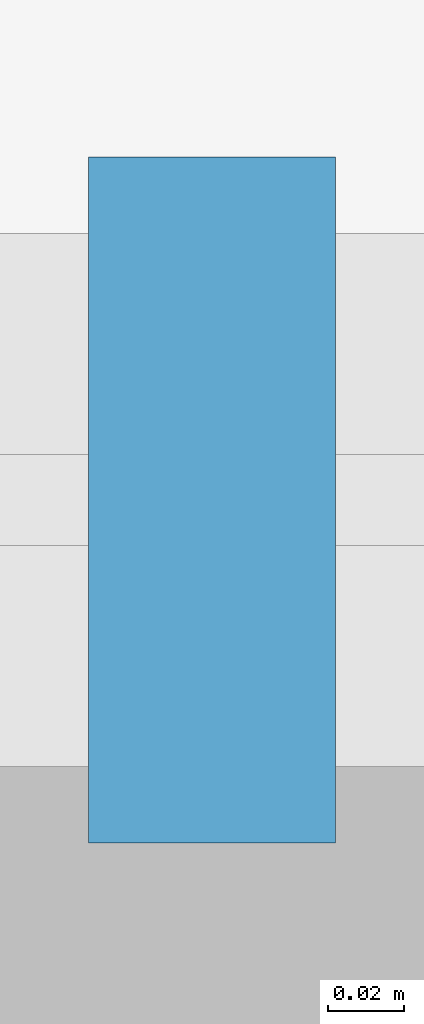
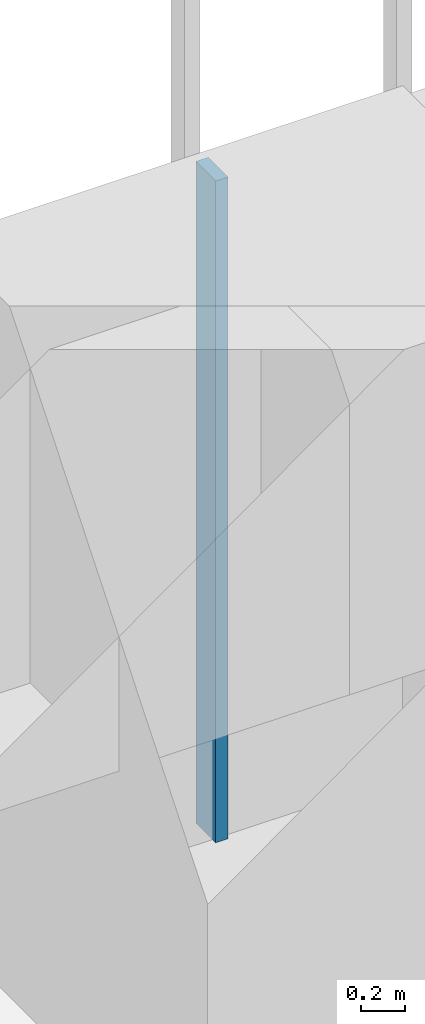
# One storey, part 220 of 256: 1 member, 1 element without a shape of its own.
"""IFC4 building model written with IfcOpenShell, lengths in metres."""

from ifc_helpers import new_model, si_unit, direction, frame, origin, origin_2d, place, context, subcontext, project, spatial, rectangle, extrude, material, material_profile, profile_set, type_object, element, aggregate, save


model = new_model("IFC4")

# Units and contexts
model_context = context("Model", 3, precision=1e-05, world=origin(), true_north=direction((0.0, 1.0)))
body_context = subcontext(model_context, "Body", "Model", "MODEL_VIEW")
ifc_project = project(units=[si_unit("LENGTHUNIT", "METRE"), si_unit("AREAUNIT", "SQUARE_METRE"), si_unit("VOLUMEUNIT", "CUBIC_METRE"), si_unit("PLANEANGLEUNIT", "RADIAN"), si_unit("MASSUNIT", "GRAM", prefix="KILO")], contexts=[model_context])

# Site, building, storey
site_placement = place(None, origin())
site = spatial("IfcSite", under=ifc_project, at=site_placement, CompositionType="ELEMENT")
building_placement = place(site_placement, origin())
building = spatial("IfcBuilding", under=site, at=building_placement, Name="Sandreach Pilgrim Tower", CompositionType="ELEMENT")
storey_placement = place(building_placement, frame((0.0, 0.0, 23.0)))
storey = spatial("IfcBuildingStorey", under=building, at=storey_placement, Name="L04", CompositionType="ELEMENT", Elevation=23.0)

# Curtain wall, member
ifc_material_1 = material(Name="Aluminium framed curtain wall", Category="aluminium")
curtain_wall_type = type_object("IfcCurtainWallType", Name="Hostel tower curtain wall", PredefinedType="NOTDEFINED", material=ifc_material_1)
curtain_wall_placement = place(storey_placement, origin())
curtain_wall = element("IfcCurtainWall", 1, at=curtain_wall_placement, inside=storey, type_object=curtain_wall_type, Name="CW-1 L04 N", PredefinedType="NOTDEFINED")
ifc_material_2 = material(Name="Aluminium extrusion", Category="aluminium")
ifc_material_profile = material_profile(ifc_material_2, rectangle(XDim=0.06494140625, YDim=0.179931640625, at=origin_2d()), Name="CW-1M 65X180")
ifc_profile_set = profile_set([ifc_material_profile], Name="Aluminium extrusion")
member_type = type_object("IfcMemberType", Name="CW-1 mullion", PredefinedType="MULLION", material=ifc_profile_set)
member_placement = place(storey_placement, frame((6.557373046875, 23.94873046875, 0.0), z_axis=(0.0, 0.0, 1.0), x_axis=(1.0, 0.0, 0.0)))
member = element("IfcMember", 2, at=member_placement, type_object=member_type, Name="CW-1 mullion 7", PredefinedType="MULLION", context=body_context, shape_type="SweptSolid", body=[
    extrude(rectangle(XDim=0.06494140625, YDim=0.179931640625, at=origin_2d()), origin(), (0.0, 0.0, 1.0), 3.639892578125),
])
aggregate(curtain_wall, [member])

save(model, "model.ifc")
